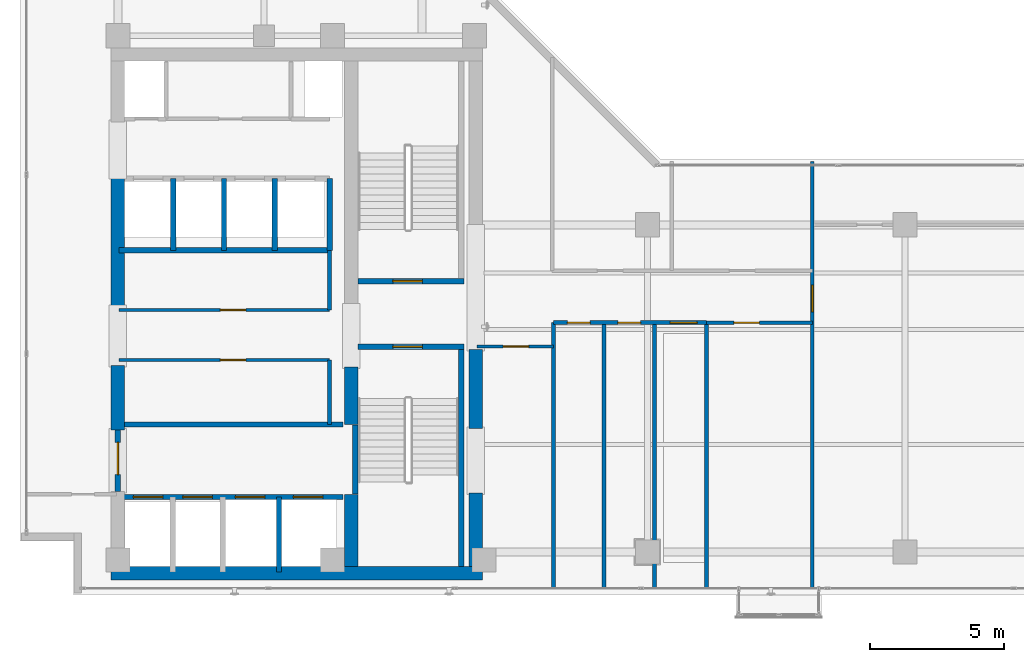
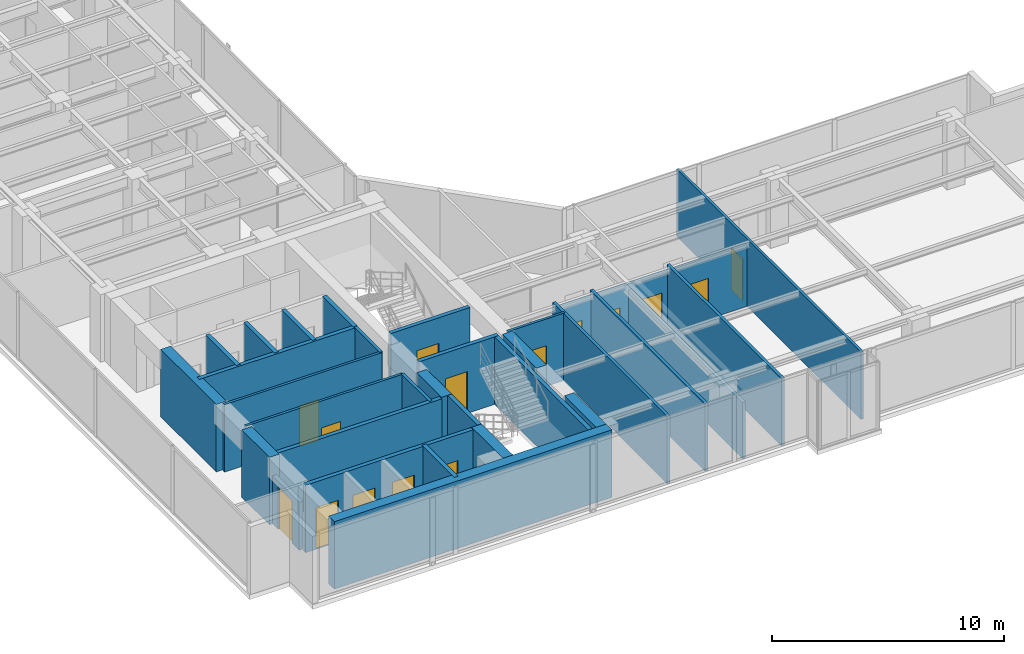
# One storey, part 17 of 22: 32 walls, 15 doors, 15 openings.
"""IFC4 building model written with IfcOpenShell, lengths in metres."""

from ifc_helpers import new_model, si_unit, direction, frame, frame_2d, origin, place, context, subcontext, project, spatial, rectangle, extrude, material, layer, layer_set, type_object, element, fill, save


model = new_model("IFC4")

# Units and contexts
model_context = context("Model", 3, precision=1e-05, world=origin(), true_north=direction((0.0, 1.0)))
body_context = subcontext(model_context, "Body", "Model", "MODEL_VIEW")
ifc_project = project(units=[si_unit("LENGTHUNIT", "METRE"), si_unit("AREAUNIT", "SQUARE_METRE"), si_unit("VOLUMEUNIT", "CUBIC_METRE"), si_unit("PLANEANGLEUNIT", "RADIAN"), si_unit("MASSUNIT", "GRAM", prefix="KILO")], contexts=[model_context])

# Site, building, storey
site_placement = place(None, origin())
site = spatial("IfcSite", under=ifc_project, at=site_placement, CompositionType="ELEMENT")
building_placement = place(site_placement, origin())
building = spatial("IfcBuilding", under=site, at=building_placement, Name="Kolvaren Waterfront Exchange", CompositionType="ELEMENT")
storey_placement = place(building_placement, frame((0.0, 0.0, 312.199951171875)))
storey = spatial("IfcBuildingStorey", under=building, at=storey_placement, Name="L80", CompositionType="ELEMENT", Elevation=312.199951171875)

# Wall, opening, door
ifc_material_1 = material(Name="Precast concrete C40/50", Category="concrete")
ifc_layer_1 = layer(ifc_material_1, 0.199951171875, Name="Precast concrete C40/50")
ifc_layer_set_1 = layer_set([ifc_layer_1], Name="Precast concrete C40/50")
wall_type_1 = type_object("IfcWallType", Name="ARC-FIRE-200", PredefinedType="PARTITIONING", material=ifc_layer_set_1)
wall_1_placement = place(storey_placement, frame((16.39990234375, 12.85009765625, 0.0), z_axis=(0.0, 0.0, 1.0), x_axis=(1.0, 0.0, 0.0)))
wall_1 = element("IfcWall", 1, at=wall_1_placement, inside=storey, type_object=wall_type_1, Name="L80 interior wall PW-L80-ST1-THROAT-S", PredefinedType="PARTITIONING", context=body_context, shape_type="SweptSolid", body=[
    extrude(rectangle(XDim=3.960205078125, YDim=0.199951171875, at=frame_2d((1.97998046875, 0.0))), origin(), (0.0, 0.0, 1.0), 3.56005859375),
])
opening_1_placement = place(wall_1_placement, frame((1.3037109375, 0.0, 0.0)))
opening_1 = element("IfcOpeningElement", 2, at=opening_1_placement, cuts=wall_1, Name="Opening FD2", PredefinedType="OPENING", context=body_context, shape_type="SweptSolid", body=[
    extrude(rectangle(XDim=1.10009765625, YDim=2.199951171875, at=frame_2d((0.550048828125, 1.10009765625))), frame((0.0, 0.10986328125, 0.0), z_axis=(0.0, -1.0, 0.0), x_axis=(1.0, 0.0, 0.0)), (0.0, 0.0, 1.0), 0.219970703125),
])
ifc_material_2 = material(Name="Pressed steel smoke-seal fire door", Category="steel")
door_type_1 = type_object("IfcDoorType", Name="ARC-FD-1100", OperationType="NOTDEFINED", PredefinedType="DOOR", material=ifc_material_2)
door_1_placement = place(opening_1_placement, frame((1.10009765625, 0.0, 0.0), z_axis=(0.0, 0.0, 1.0), x_axis=(-1.0, 0.0, 0.0)))
door_1 = element("IfcDoor", 3, at=door_1_placement, inside=storey, type_object=door_type_1, Name="L80 door DR-L80-ST1-IN (FD2)", OperationType="SINGLE_SWING_LEFT", OverallHeight=2.199951171875, OverallWidth=1.10009765625, PredefinedType="DOOR", context=body_context, shape_type="SweptSolid", body=[
    extrude(rectangle(XDim=1.10009765625, YDim=2.199951171875, at=frame_2d((0.550048828125, 1.10009765625))), frame((0.0, 0.02490234375, 0.0), z_axis=(0.0, -1.0, 0.0), x_axis=(1.0, 0.0, 0.0)), (0.0, 0.0, 1.0), 0.050048828125),
])
fill(opening_1, door_1)

wall_2_placement = place(storey_placement, frame((16.409912109375, 15.300048828125, 0.0), z_axis=(0.0, 0.0, 1.0), x_axis=(1.0, 0.0, 0.0)))
wall_2 = element("IfcWall", 4, at=wall_2_placement, inside=storey, type_object=wall_type_1, Name="L80 interior wall PW-L80-ST2-THROAT-N", PredefinedType="PARTITIONING", context=body_context, shape_type="SweptSolid", body=[
    extrude(rectangle(XDim=3.9501953125, YDim=0.199951171875, at=frame_2d((1.97509765625, 0.0))), origin(), (0.0, 0.0, 1.0), 3.56005859375),
])
opening_2_placement = place(wall_2_placement, frame((1.293701171875, 0.0, 0.0)))
opening_2 = element("IfcOpeningElement", 5, at=opening_2_placement, cuts=wall_2, Name="Opening FD2", PredefinedType="OPENING", context=body_context, shape_type="SweptSolid", body=[
    extrude(rectangle(XDim=1.10009765625, YDim=2.199951171875, at=frame_2d((0.550048828125, 1.10009765625))), frame((0.0, 0.10986328125, 0.0), z_axis=(0.0, -1.0, 0.0), x_axis=(1.0, 0.0, 0.0)), (0.0, 0.0, 1.0), 0.219970703125),
])
door_2_placement = place(opening_2_placement, origin())
door_2 = element("IfcDoor", 6, at=door_2_placement, inside=storey, type_object=door_type_1, Name="L80 door DR-L80-ST2-IN (FD2)", OperationType="SINGLE_SWING_RIGHT", OverallHeight=2.199951171875, OverallWidth=1.10009765625, PredefinedType="DOOR", context=body_context, shape_type="SweptSolid", body=[
    extrude(rectangle(XDim=1.10009765625, YDim=2.199951171875, at=frame_2d((0.550048828125, 1.10009765625))), frame((0.0, 0.02490234375, 0.0), z_axis=(0.0, -1.0, 0.0), x_axis=(1.0, 0.0, 0.0)), (0.0, 0.0, 1.0), 0.050048828125),
])
fill(opening_2, door_2)

# Wall
wall_3_placement = place(storey_placement, frame((7.5, 9.949951171875, 0.0), z_axis=(0.0, 0.0, 1.0), x_axis=(1.0, 0.0, 0.0)))
element("IfcWall", 7, at=wall_3_placement, inside=storey, type_object=wall_type_1, Name="L80 interior wall PW-L80-FF-N", PredefinedType="PARTITIONING", context=body_context, shape_type="SweptSolid", body=[
    extrude(rectangle(XDim=8.35009765625, YDim=0.199951171875, at=frame_2d((4.175048828125, 0.0))), origin(), (0.0, 0.0, 1.0), 3.56005859375),
])

# Wall, opening, door
wall_4_placement = place(storey_placement, frame((7.449951171875, 7.449951171875, 0.0), z_axis=(0.0, 0.0, 1.0), x_axis=(0.0, 1.0, 0.0)))
wall_4 = element("IfcWall", 8, at=wall_4_placement, inside=storey, type_object=wall_type_1, Name="L80 interior wall PW-L80-FF-W-DOOR", PredefinedType="PARTITIONING", context=body_context, shape_type="SweptSolid", body=[
    extrude(rectangle(XDim=2.300048828125, YDim=0.199951171875, at=frame_2d((1.14990234375, 0.0))), origin(), (0.0, 0.0, 1.0), 2.5400390625),
])
opening_3_placement = place(wall_4_placement, frame((0.63330078125, 0.0, 0.0)))
opening_3 = element("IfcOpeningElement", 9, at=opening_3_placement, cuts=wall_4, Name="Opening FD3", PredefinedType="OPENING", context=body_context, shape_type="SweptSolid", body=[
    extrude(rectangle(XDim=1.199951171875, YDim=2.25, at=frame_2d((0.60009765625, 1.125))), frame((0.0, 0.10986328125, 0.0), z_axis=(0.0, -1.0, 0.0), x_axis=(1.0, 0.0, 0.0)), (0.0, 0.0, 1.0), 0.219970703125),
])
ifc_material_3 = material(Name="Pressed steel fire door", Category="steel")
door_type_2 = type_object("IfcDoorType", Name="ARC-FD-1200", OperationType="NOTDEFINED", PredefinedType="DOOR", material=ifc_material_3)
door_3_placement = place(opening_3_placement, frame((1.199951171875, 0.0, 0.0), z_axis=(0.0, 0.0, 1.0), x_axis=(-1.0, 0.0, 0.0)))
door_3 = element("IfcDoor", 10, at=door_3_placement, inside=storey, type_object=door_type_2, Name="L80 door DR-L80-FF-OUT (FD3)", OperationType="SINGLE_SWING_LEFT", OverallHeight=2.25, OverallWidth=1.199951171875, PredefinedType="DOOR", context=body_context, shape_type="SweptSolid", body=[
    extrude(rectangle(XDim=1.199951171875, YDim=2.25, at=frame_2d((0.60009765625, 1.125))), frame((0.0, 0.02490234375, 0.0), z_axis=(0.0, -1.0, 0.0), x_axis=(1.0, 0.0, 0.0)), (0.0, 0.0, 1.0), 0.050048828125),
])
fill(opening_3, door_3)

ifc_material_4 = material(Name="Acoustic gypsum steel stud", Category="steel")
ifc_layer_2 = layer(ifc_material_4, 0.125, Name="Acoustic gypsum steel stud")
ifc_layer_set_2 = layer_set([ifc_layer_2], Name="Acoustic gypsum steel stud")
wall_type_2 = type_object("IfcWallType", Name="ARC-PART-125", PredefinedType="PARTITIONING", material=ifc_layer_set_2)
wall_5_placement = place(storey_placement, frame((7.5, 12.360107421875, 0.0), z_axis=(0.0, 0.0, 1.0), x_axis=(1.0, 0.0, 0.0)))
wall_5 = element("IfcWall", 11, at=wall_5_placement, inside=storey, type_object=wall_type_2, Name="L80 interior wall PW-L80-REC-HI-S", PredefinedType="PARTITIONING", context=body_context, shape_type="SweptSolid", body=[
    extrude(rectangle(XDim=7.85009765625, YDim=0.125, at=frame_2d((3.925048828125, 0.0))), origin(), (0.0, 0.0, 1.0), 3.56005859375),
])
opening_4_placement = place(wall_5_placement, frame((3.77490234375, 0.0, 0.0)))
opening_4 = element("IfcOpeningElement", 12, at=opening_4_placement, cuts=wall_5, Name="Opening D02", PredefinedType="OPENING", context=body_context, shape_type="SweptSolid", body=[
    extrude(rectangle(XDim=0.949951171875, YDim=2.14990234375, at=frame_2d((0.47509765625, 1.074951171875))), frame((0.0, 0.072509765625, 0.0), z_axis=(0.0, -1.0, 0.0), x_axis=(1.0, 0.0, 0.0)), (0.0, 0.0, 1.0), 0.14501953125),
])
ifc_material_5 = material(Name="Oak veneer acoustic timber", Category="wood")
door_type_3 = type_object("IfcDoorType", Name="ARC-DR-950", OperationType="NOTDEFINED", PredefinedType="DOOR", material=ifc_material_5)
door_4_placement = place(opening_4_placement, origin())
door_4 = element("IfcDoor", 13, at=door_4_placement, inside=storey, type_object=door_type_3, Name="L80 door DR-L80-REC-HI-D1 (D02)", OperationType="SINGLE_SWING_RIGHT", OverallHeight=2.14990234375, OverallWidth=0.949951171875, PredefinedType="DOOR", context=body_context, shape_type="SweptSolid", body=[
    extrude(rectangle(XDim=0.949951171875, YDim=2.14990234375, at=frame_2d((0.47509765625, 1.074951171875))), frame((0.0, 0.02490234375, 0.0), z_axis=(0.0, -1.0, 0.0), x_axis=(1.0, 0.0, 0.0)), (0.0, 0.0, 1.0), 0.050048828125),
])
fill(opening_4, door_4)

wall_6_placement = place(storey_placement, frame((7.5, 14.219970703125, 0.0), z_axis=(0.0, 0.0, 1.0), x_axis=(1.0, 0.0, 0.0)))
wall_6 = element("IfcWall", 14, at=wall_6_placement, inside=storey, type_object=wall_type_2, Name="L80 interior wall PW-L80-REC-HI-N", PredefinedType="PARTITIONING", context=body_context, shape_type="SweptSolid", body=[
    extrude(rectangle(XDim=7.85009765625, YDim=0.125, at=frame_2d((3.925048828125, 0.0))), origin(), (0.0, 0.0, 1.0), 3.56005859375),
])
opening_5_placement = place(wall_6_placement, frame((3.77490234375, 0.0, 0.0)))
opening_5 = element("IfcOpeningElement", 15, at=opening_5_placement, cuts=wall_6, Name="Opening D02", PredefinedType="OPENING", context=body_context, shape_type="SweptSolid", body=[
    extrude(rectangle(XDim=0.949951171875, YDim=2.14990234375, at=frame_2d((0.47509765625, 1.074951171875))), frame((0.0, 0.072509765625, 0.0), z_axis=(0.0, -1.0, 0.0), x_axis=(1.0, 0.0, 0.0)), (0.0, 0.0, 1.0), 0.14501953125),
])
door_5_placement = place(opening_5_placement, origin())
door_5 = element("IfcDoor", 16, at=door_5_placement, inside=storey, type_object=door_type_3, Name="L80 door DR-L80-REC-HI-D2 (D02)", OperationType="SINGLE_SWING_LEFT", OverallHeight=2.14990234375, OverallWidth=0.949951171875, PredefinedType="DOOR", context=body_context, shape_type="SweptSolid", body=[
    extrude(rectangle(XDim=0.949951171875, YDim=2.14990234375, at=frame_2d((0.47509765625, 1.074951171875))), frame((0.0, 0.02490234375, 0.0), z_axis=(0.0, -1.0, 0.0), x_axis=(1.0, 0.0, 0.0)), (0.0, 0.0, 1.0), 0.050048828125),
])
fill(opening_5, door_5)

wall_7_placement = place(storey_placement, frame((20.85009765625, 12.860107421875, 0.0), z_axis=(0.0, 0.0, 1.0), x_axis=(1.0, 0.0, 0.0)))
wall_7 = element("IfcWall", 17, at=wall_7_placement, inside=storey, type_object=wall_type_2, Name="L80 interior wall PW-L80-SWST3-N", PredefinedType="PARTITIONING", context=body_context, shape_type="SweptSolid", body=[
    extrude(rectangle(XDim=2.849853515625, YDim=0.125, at=frame_2d((1.4248046875, 0.0))), origin(), (0.0, 0.0, 1.0), 3.56005859375),
])
opening_6_placement = place(wall_7_placement, frame((0.971435546875, 0.0, 0.0)))
opening_6 = element("IfcOpeningElement", 18, at=opening_6_placement, cuts=wall_7, Name="Opening D02", PredefinedType="OPENING", context=body_context, shape_type="SweptSolid", body=[
    extrude(rectangle(XDim=0.949951171875, YDim=2.14990234375, at=frame_2d((0.47509765625, 1.074951171875))), frame((0.0, 0.072509765625, 0.0), z_axis=(0.0, -1.0, 0.0), x_axis=(1.0, 0.0, 0.0)), (0.0, 0.0, 1.0), 0.14501953125),
])
door_6_placement = place(opening_6_placement, origin())
door_6 = element("IfcDoor", 19, at=door_6_placement, inside=storey, type_object=door_type_3, Name="L80 door DR-L80-SWST3-D (D02)", OperationType="SINGLE_SWING_RIGHT", OverallHeight=2.14990234375, OverallWidth=0.949951171875, PredefinedType="DOOR", context=body_context, shape_type="SweptSolid", body=[
    extrude(rectangle(XDim=0.949951171875, YDim=2.14990234375, at=frame_2d((0.47509765625, 1.074951171875))), frame((0.0, 0.02490234375, 0.0), z_axis=(0.0, -1.0, 0.0), x_axis=(1.0, 0.0, 0.0)), (0.0, 0.0, 1.0), 0.050048828125),
])
fill(opening_6, door_6)

wall_8_placement = place(storey_placement, frame((29.39990234375, 13.75, 0.0), z_axis=(0.0, 0.0, 1.0), x_axis=(1.0, 0.0, 0.0)))
wall_8 = element("IfcWall", 20, at=wall_8_placement, inside=storey, type_object=wall_type_2, Name="L80 interior wall PW-L80-ES-CORR", PredefinedType="PARTITIONING", context=body_context, shape_type="SweptSolid", body=[
    extrude(rectangle(XDim=3.9501953125, YDim=0.125, at=frame_2d((1.97509765625, 0.0))), origin(), (0.0, 0.0, 1.0), 3.260009765625),
])
opening_7_placement = place(wall_8_placement, frame((1.02490234375, 0.0, 0.0)))
opening_7 = element("IfcOpeningElement", 21, at=opening_7_placement, cuts=wall_8, Name="Opening D02", PredefinedType="OPENING", context=body_context, shape_type="SweptSolid", body=[
    extrude(rectangle(XDim=0.949951171875, YDim=2.14990234375, at=frame_2d((0.47509765625, 1.074951171875))), frame((0.0, 0.072509765625, 0.0), z_axis=(0.0, -1.0, 0.0), x_axis=(1.0, 0.0, 0.0)), (0.0, 0.0, 1.0), 0.14501953125),
])
door_7_placement = place(opening_7_placement, origin())
door_7 = element("IfcDoor", 22, at=door_7_placement, inside=storey, type_object=door_type_3, Name="L80 door DR-L80-ES-D-1 (D02)", OperationType="SINGLE_SWING_LEFT", OverallHeight=2.14990234375, OverallWidth=0.949951171875, PredefinedType="DOOR", context=body_context, shape_type="SweptSolid", body=[
    extrude(rectangle(XDim=0.949951171875, YDim=2.14990234375, at=frame_2d((0.47509765625, 1.074951171875))), frame((0.0, 0.02490234375, 0.0), z_axis=(0.0, -1.0, 0.0), x_axis=(1.0, 0.0, 0.0)), (0.0, 0.0, 1.0), 0.050048828125),
])
fill(opening_7, door_7)

wall_9_placement = place(storey_placement, frame((33.35009765625, 3.840087890625, 0.0), z_axis=(0.0, 0.0, 1.0), x_axis=(0.0, 1.0, 0.0)))
wall_9 = element("IfcWall", 23, at=wall_9_placement, inside=storey, type_object=wall_type_2, Name="L80 interior wall PW-L80-ETIP-W", PredefinedType="PARTITIONING", context=body_context, shape_type="SweptSolid", body=[
    extrude(rectangle(XDim=15.919921875, YDim=0.125, at=frame_2d((7.9599609375, 0.0))), origin(), (0.0, 0.0, 1.0), 3.56005859375),
])
opening_8_placement = place(wall_9_placement, frame((10.31005859375, 0.0, 0.0)))
opening_8 = element("IfcOpeningElement", 24, at=opening_8_placement, cuts=wall_9, Name="Opening D03", PredefinedType="OPENING", context=body_context, shape_type="SweptSolid", body=[
    extrude(rectangle(XDim=1.0, YDim=2.199951171875, at=frame_2d((0.5, 1.10009765625))), frame((0.0, 0.072509765625, 0.0), z_axis=(0.0, -1.0, 0.0), x_axis=(1.0, 0.0, 0.0)), (0.0, 0.0, 1.0), 0.14501953125),
])
ifc_material_6 = material(Name="Oak veneer accessible timber", Category="wood")
door_type_4 = type_object("IfcDoorType", Name="ARC-DR-1000", OperationType="NOTDEFINED", PredefinedType="DOOR", material=ifc_material_6)
door_8_placement = place(opening_8_placement, origin())
door_8 = element("IfcDoor", 25, at=door_8_placement, inside=storey, type_object=door_type_4, Name="L80 door DR-L80-ETIP1-D (D03)", OperationType="SINGLE_SWING_RIGHT", OverallHeight=2.199951171875, OverallWidth=1.0, PredefinedType="DOOR", context=body_context, shape_type="SweptSolid", body=[
    extrude(rectangle(XDim=1.0, YDim=2.199951171875, at=frame_2d((0.5, 1.10009765625))), frame((0.0, 0.02490234375, 0.0), z_axis=(0.0, -1.0, 0.0), x_axis=(1.0, 0.0, 0.0)), (0.0, 0.0, 1.0), 0.050048828125),
])
fill(opening_8, door_8)

# Walls
ifc_material_7 = material(Name="Gypsum fireboard steel stud", Category="steel")
ifc_layer_3 = layer(ifc_material_7, 0.14990234375, Name="Gypsum fireboard steel stud")
ifc_layer_set_3 = layer_set([ifc_layer_3], Name="Gypsum fireboard steel stud")
wall_type_3 = type_object("IfcWallType", Name="ARC-PART-150", PredefinedType="PARTITIONING", material=ifc_layer_set_3)
wall_10_placement = place(storey_placement, frame((15.35009765625, 9.949951171875, 0.0), z_axis=(0.0, 0.0, 1.0), x_axis=(0.0, 1.0, 0.0)))
element("IfcWall", 26, at=wall_10_placement, inside=storey, type_object=wall_type_3, Name="L80 interior wall PW-L80-REC-HI-E1", PredefinedType="PARTITIONING", context=body_context, shape_type="SweptSolid", body=[
    extrude(rectangle(XDim=2.41015625, YDim=0.14990234375, at=frame_2d((1.205078125, 0.0))), origin(), (0.0, 0.0, 1.0), 3.56005859375),
])
wall_11_placement = place(storey_placement, frame((15.35009765625, 14.219970703125, 0.0), z_axis=(0.0, 0.0, 1.0), x_axis=(0.0, 1.0, 0.0)))
element("IfcWall", 27, at=wall_11_placement, inside=storey, type_object=wall_type_3, Name="L80 interior wall PW-L80-REC-HI-E2", PredefinedType="PARTITIONING", context=body_context, shape_type="SweptSolid", body=[
    extrude(rectangle(XDim=2.22998046875, YDim=0.14990234375, at=frame_2d((1.114990234375, 0.0))), origin(), (0.0, 0.0, 1.0), 3.56005859375),
])
ifc_material_8 = material(Name="Moisture-resistant gypsum stud")
ifc_layer_4 = layer(ifc_material_8, 0.14990234375, Name="Moisture-resistant gypsum stud")
ifc_layer_set_4 = layer_set([ifc_layer_4], Name="Moisture-resistant gypsum stud")
wall_type_4 = type_object("IfcWallType", Name="ARC-PLUMB-150", PredefinedType="PLUMBINGWALL", material=ifc_layer_set_4)
wall_12_placement = place(storey_placement, frame((23.699951171875, 3.840087890625, 0.0), z_axis=(0.0, 0.0, 1.0), x_axis=(0.0, 1.0, 0.0)))
element("IfcWall", 28, at=wall_12_placement, inside=storey, type_object=wall_type_4, Name="L80 interior wall PW-L80-WC-0", PredefinedType="PLUMBINGWALL", context=body_context, shape_type="SweptSolid", body=[
    extrude(rectangle(XDim=9.909912109375, YDim=0.14990234375, at=frame_2d((4.955078125, 0.0))), origin(), (0.0, 0.0, 1.0), 3.56005859375),
])

# Wall, openings, doors
wall_13_placement = place(storey_placement, frame((23.699951171875, 13.75, 0.0), z_axis=(0.0, 0.0, 1.0), x_axis=(1.0, 0.0, 0.0)))
wall_13 = element("IfcWall", 29, at=wall_13_placement, inside=storey, type_object=wall_type_4, Name="L80 interior wall PW-L80-WC-N", PredefinedType="PLUMBINGWALL", context=body_context, shape_type="SweptSolid", body=[
    extrude(rectangle(XDim=5.699951171875, YDim=0.14990234375, at=frame_2d((2.85009765625, 0.0))), origin(), (0.0, 0.0, 1.0), 3.260009765625),
])
opening_9_placement = place(wall_13_placement, frame((0.514892578125, 0.0, 0.0)))
opening_9 = element("IfcOpeningElement", 30, at=opening_9_placement, cuts=wall_13, Name="Opening D01", PredefinedType="OPENING", context=body_context, shape_type="SweptSolid", body=[
    extrude(rectangle(XDim=0.85009765625, YDim=2.14990234375, at=frame_2d((0.425048828125, 1.074951171875))), frame((0.0, 0.0849609375, 0.0), z_axis=(0.0, -1.0, 0.0), x_axis=(1.0, 0.0, 0.0)), (0.0, 0.0, 1.0), 0.169921875),
])
opening_10_placement = place(wall_13_placement, frame((2.39501953125, 0.0, 0.0)))
opening_10 = element("IfcOpeningElement", 31, at=opening_10_placement, cuts=wall_13, Name="Opening D01", PredefinedType="OPENING", context=body_context, shape_type="SweptSolid", body=[
    extrude(rectangle(XDim=0.85009765625, YDim=2.14990234375, at=frame_2d((0.425048828125, 1.074951171875))), frame((0.0, 0.0849609375, 0.0), z_axis=(0.0, -1.0, 0.0), x_axis=(1.0, 0.0, 0.0)), (0.0, 0.0, 1.0), 0.169921875),
])
opening_11_placement = place(wall_13_placement, frame((4.35009765625, 0.0, 0.0)))
opening_11 = element("IfcOpeningElement", 32, at=opening_11_placement, cuts=wall_13, Name="Opening D03", PredefinedType="OPENING", context=body_context, shape_type="SweptSolid", body=[
    extrude(rectangle(XDim=1.0, YDim=2.199951171875, at=frame_2d((0.5, 1.10009765625))), frame((0.0, 0.0849609375, 0.0), z_axis=(0.0, -1.0, 0.0), x_axis=(1.0, 0.0, 0.0)), (0.0, 0.0, 1.0), 0.169921875),
])
door_9_placement = place(opening_11_placement, origin())
door_9 = element("IfcDoor", 33, at=door_9_placement, inside=storey, type_object=door_type_4, Name="L80 door DR-L80-WCA-D (D03)", OperationType="SINGLE_SWING_RIGHT", OverallHeight=2.199951171875, OverallWidth=1.0, PredefinedType="DOOR", context=body_context, shape_type="SweptSolid", body=[
    extrude(rectangle(XDim=1.0, YDim=2.199951171875, at=frame_2d((0.5, 1.10009765625))), frame((0.0, 0.02490234375, 0.0), z_axis=(0.0, -1.0, 0.0), x_axis=(1.0, 0.0, 0.0)), (0.0, 0.0, 1.0), 0.050048828125),
])
fill(opening_11, door_9)
ifc_material_9 = material(Name="Oak veneer timber leaf", Category="wood")
door_type_5 = type_object("IfcDoorType", Name="ARC-DR-900", OperationType="NOTDEFINED", PredefinedType="DOOR", material=ifc_material_9)
door_10_placement = place(opening_9_placement, origin())
door_10 = element("IfcDoor", 34, at=door_10_placement, inside=storey, type_object=door_type_5, Name="L80 door DR-L80-WCM-D (D01)", OperationType="SINGLE_SWING_RIGHT", OverallHeight=2.14990234375, OverallWidth=0.85009765625, PredefinedType="DOOR", context=body_context, shape_type="SweptSolid", body=[
    extrude(rectangle(XDim=0.85009765625, YDim=2.14990234375, at=frame_2d((0.425048828125, 1.074951171875))), frame((0.0, 0.02490234375, 0.0), z_axis=(0.0, -1.0, 0.0), x_axis=(1.0, 0.0, 0.0)), (0.0, 0.0, 1.0), 0.050048828125),
])
fill(opening_9, door_10)
door_11_placement = place(opening_10_placement, origin())
door_11 = element("IfcDoor", 35, at=door_11_placement, inside=storey, type_object=door_type_5, Name="L80 door DR-L80-WCF-D (D01)", OperationType="SINGLE_SWING_LEFT", OverallHeight=2.14990234375, OverallWidth=0.85009765625, PredefinedType="DOOR", context=body_context, shape_type="SweptSolid", body=[
    extrude(rectangle(XDim=0.85009765625, YDim=2.14990234375, at=frame_2d((0.425048828125, 1.074951171875))), frame((0.0, 0.02490234375, 0.0), z_axis=(0.0, -1.0, 0.0), x_axis=(1.0, 0.0, 0.0)), (0.0, 0.0, 1.0), 0.050048828125),
])
fill(opening_10, door_11)

# Walls
wall_14_placement = place(storey_placement, frame((25.580078125, 3.840087890625, 0.0), z_axis=(0.0, 0.0, 1.0), x_axis=(0.0, 1.0, 0.0)))
element("IfcWall", 36, at=wall_14_placement, inside=storey, type_object=wall_type_4, Name="L80 interior wall PW-L80-WC-1", PredefinedType="PLUMBINGWALL", context=body_context, shape_type="SweptSolid", body=[
    extrude(rectangle(XDim=9.909912109375, YDim=0.14990234375, at=frame_2d((4.955078125, 0.0))), origin(), (0.0, 0.0, 1.0), 3.56005859375),
])
wall_15_placement = place(storey_placement, frame((27.4599609375, 3.840087890625, 0.0), z_axis=(0.0, 0.0, 1.0), x_axis=(0.0, 1.0, 0.0)))
element("IfcWall", 37, at=wall_15_placement, inside=storey, type_object=wall_type_4, Name="L80 interior wall PW-L80-WC-2", PredefinedType="PLUMBINGWALL", context=body_context, shape_type="SweptSolid", body=[
    extrude(rectangle(XDim=9.909912109375, YDim=0.14990234375, at=frame_2d((4.955078125, 0.0))), origin(), (0.0, 0.0, 1.0), 2.9599609375),
])
wall_16_placement = place(storey_placement, frame((29.39990234375, 3.840087890625, 0.0), z_axis=(0.0, 0.0, 1.0), x_axis=(0.0, 1.0, 0.0)))
element("IfcWall", 38, at=wall_16_placement, inside=storey, type_object=wall_type_4, Name="L80 interior wall PW-L80-WC-3", PredefinedType="PLUMBINGWALL", context=body_context, shape_type="SweptSolid", body=[
    extrude(rectangle(XDim=9.909912109375, YDim=0.14990234375, at=frame_2d((4.955078125, 0.0))), origin(), (0.0, 0.0, 1.0), 3.56005859375),
])
ifc_material_10 = material(Name="Concrete C40/50", Category="concrete")
ifc_layer_5 = layer(ifc_material_10, 0.199951171875, Name="Concrete C40/50")
ifc_layer_set_5 = layer_set([ifc_layer_5], Name="Concrete C40/50")
wall_type_5 = type_object("IfcWallType", Name="ARC-SHAFT-200", PredefinedType="PARTITIONING", material=ifc_layer_set_5)
wall_17_placement = place(storey_placement, frame((16.300048828125, 7.360107421875, 0.0), z_axis=(0.0, 0.0, 1.0), x_axis=(0.0, 1.0, 0.0)))
element("IfcWall", 39, at=wall_17_placement, inside=storey, type_object=wall_type_5, Name="L80 structural stairwell wall PW-L80-ST1-W", PredefinedType="SHEAR", context=body_context, shape_type="SweptSolid", body=[
    extrude(rectangle(XDim=2.579833984375, YDim=0.199951171875, at=frame_2d((1.2900390625, 0.0))), origin(), (0.0, 0.0, 1.0), 3.56005859375),
])
wall_18_placement = place(storey_placement, frame((20.260009765625, 4.659912109375, 0.0), z_axis=(0.0, 0.0, 1.0), x_axis=(0.0, 1.0, 0.0)))
element("IfcWall", 40, at=wall_18_placement, inside=storey, type_object=wall_type_5, Name="L80 structural stairwell wall PW-L80-ST1-E", PredefinedType="SHEAR", context=body_context, shape_type="SweptSolid", body=[
    extrude(rectangle(XDim=8.090087890625, YDim=0.199951171875, at=frame_2d((4.044921875, 0.0))), origin(), (0.0, 0.0, 1.0), 3.56005859375),
])

# Wall, openings, doors
wall_19_placement = place(storey_placement, frame((7.5, 7.25, 0.0), z_axis=(0.0, 0.0, 1.0), x_axis=(1.0, 0.0, 0.0)))
wall_19 = element("IfcWall", 41, at=wall_19_placement, inside=storey, type_object=wall_type_5, Name="L80 interior wall PW-L80-FF-S", PredefinedType="PARTITIONING", context=body_context, shape_type="SweptSolid", body=[
    extrude(rectangle(XDim=8.35009765625, YDim=0.199951171875, at=frame_2d((4.175048828125, 0.0))), origin(), (0.0, 0.0, 1.0), 3.56005859375),
])
opening_12_placement = place(wall_19_placement, frame((0.530029296875, 0.0, 0.0)))
opening_12 = element("IfcOpeningElement", 42, at=opening_12_placement, cuts=wall_19, Name="Opening LD1", PredefinedType="OPENING", context=body_context, shape_type="SweptSolid", body=[
    extrude(rectangle(XDim=1.10009765625, YDim=2.199951171875, at=frame_2d((0.550048828125, 1.10009765625))), frame((0.0, 0.10986328125, 0.0), z_axis=(0.0, -1.0, 0.0), x_axis=(1.0, 0.0, 0.0)), (0.0, 0.0, 1.0), 0.219970703125),
])
opening_13_placement = place(wall_19_placement, frame((2.3701171875, 0.0, 0.0)))
opening_13 = element("IfcOpeningElement", 43, at=opening_13_placement, cuts=wall_19, Name="Opening LD1", PredefinedType="OPENING", context=body_context, shape_type="SweptSolid", body=[
    extrude(rectangle(XDim=1.10009765625, YDim=2.199951171875, at=frame_2d((0.550048828125, 1.10009765625))), frame((0.0, 0.10986328125, 0.0), z_axis=(0.0, -1.0, 0.0), x_axis=(1.0, 0.0, 0.0)), (0.0, 0.0, 1.0), 0.219970703125),
])
opening_14_placement = place(wall_19_placement, frame((4.330078125, 0.0, 0.0)))
opening_14 = element("IfcOpeningElement", 44, at=opening_14_placement, cuts=wall_19, Name="Opening LD1", PredefinedType="OPENING", context=body_context, shape_type="SweptSolid", body=[
    extrude(rectangle(XDim=1.10009765625, YDim=2.199951171875, at=frame_2d((0.550048828125, 1.10009765625))), frame((0.0, 0.10986328125, 0.0), z_axis=(0.0, -1.0, 0.0), x_axis=(1.0, 0.0, 0.0)), (0.0, 0.0, 1.0), 0.219970703125),
])
opening_15_placement = place(wall_19_placement, frame((6.5, 0.0, 0.0)))
opening_15 = element("IfcOpeningElement", 45, at=opening_15_placement, cuts=wall_19, Name="Opening LD1", PredefinedType="OPENING", context=body_context, shape_type="SweptSolid", body=[
    extrude(rectangle(XDim=1.10009765625, YDim=2.199951171875, at=frame_2d((0.550048828125, 1.10009765625))), frame((0.0, 0.10986328125, 0.0), z_axis=(0.0, -1.0, 0.0), x_axis=(1.0, 0.0, 0.0)), (0.0, 0.0, 1.0), 0.219970703125),
])
ifc_material_11 = material(Name="Stainless steel sliding landing door", Category="steel")
door_type_6 = type_object("IfcDoorType", Name="ARC-LD-FF", OperationType="SLIDING_TO_LEFT", PredefinedType="DOOR", material=ifc_material_11)
door_12_placement = place(opening_12_placement, origin())
door_12 = element("IfcDoor", 46, at=door_12_placement, inside=storey, type_object=door_type_6, Name="L80 door LD-L80-FFL1 (LD1)", OperationType="SLIDING_TO_LEFT", OverallHeight=2.199951171875, OverallWidth=1.10009765625, PredefinedType="DOOR", context=body_context, shape_type="SweptSolid", body=[
    extrude(rectangle(XDim=1.10009765625, YDim=2.199951171875, at=frame_2d((0.550048828125, 1.10009765625))), frame((0.0, 0.02490234375, 0.0), z_axis=(0.0, -1.0, 0.0), x_axis=(1.0, 0.0, 0.0)), (0.0, 0.0, 1.0), 0.050048828125),
])
fill(opening_12, door_12)
door_13_placement = place(opening_13_placement, origin())
door_13 = element("IfcDoor", 47, at=door_13_placement, inside=storey, type_object=door_type_6, Name="L80 door LD-L80-FFL2 (LD1)", OperationType="SLIDING_TO_LEFT", OverallHeight=2.199951171875, OverallWidth=1.10009765625, PredefinedType="DOOR", context=body_context, shape_type="SweptSolid", body=[
    extrude(rectangle(XDim=1.10009765625, YDim=2.199951171875, at=frame_2d((0.550048828125, 1.10009765625))), frame((0.0, 0.02490234375, 0.0), z_axis=(0.0, -1.0, 0.0), x_axis=(1.0, 0.0, 0.0)), (0.0, 0.0, 1.0), 0.050048828125),
])
fill(opening_13, door_13)
door_14_placement = place(opening_14_placement, origin())
door_14 = element("IfcDoor", 48, at=door_14_placement, inside=storey, type_object=door_type_6, Name="L80 door LD-L80-GL1 (LD1)", OperationType="SLIDING_TO_LEFT", OverallHeight=2.199951171875, OverallWidth=1.10009765625, PredefinedType="DOOR", context=body_context, shape_type="SweptSolid", body=[
    extrude(rectangle(XDim=1.10009765625, YDim=2.199951171875, at=frame_2d((0.550048828125, 1.10009765625))), frame((0.0, 0.02490234375, 0.0), z_axis=(0.0, -1.0, 0.0), x_axis=(1.0, 0.0, 0.0)), (0.0, 0.0, 1.0), 0.050048828125),
])
fill(opening_14, door_14)
door_15_placement = place(opening_15_placement, origin())
door_15 = element("IfcDoor", 49, at=door_15_placement, inside=storey, type_object=door_type_6, Name="L80 door LD-L80-GL2 (LD1)", OperationType="SLIDING_TO_LEFT", OverallHeight=2.199951171875, OverallWidth=1.10009765625, PredefinedType="DOOR", context=body_context, shape_type="SweptSolid", body=[
    extrude(rectangle(XDim=1.10009765625, YDim=2.199951171875, at=frame_2d((0.550048828125, 1.10009765625))), frame((0.0, 0.02490234375, 0.0), z_axis=(0.0, -1.0, 0.0), x_axis=(1.0, 0.0, 0.0)), (0.0, 0.0, 1.0), 0.050048828125),
])
fill(opening_15, door_15)

# Walls
wall_20_placement = place(storey_placement, frame((13.4599609375, 4.449951171875, 0.0), z_axis=(0.0, 0.0, 1.0), x_axis=(0.0, 1.0, 0.0)))
element("IfcWall", 50, at=wall_20_placement, inside=storey, type_object=wall_type_5, Name="L80 interior wall PW-L80-SH1-DIV-134", PredefinedType="PARTITIONING", context=body_context, shape_type="SweptSolid", body=[
    extrude(rectangle(XDim=2.800048828125, YDim=0.199951171875, at=frame_2d((1.39990234375, 0.0))), origin(), (0.0, 0.0, 1.0), 3.56005859375),
])
wall_21_placement = place(storey_placement, frame((7.5, 16.449951171875, 0.0), z_axis=(0.0, 0.0, 1.0), x_axis=(1.0, 0.0, 0.0)))
element("IfcWall", 51, at=wall_21_placement, inside=storey, type_object=wall_type_5, Name="L80 interior wall PW-L80-REC-PM-N", PredefinedType="PARTITIONING", context=body_context, shape_type="SweptSolid", body=[
    extrude(rectangle(XDim=7.85009765625, YDim=0.199951171875, at=frame_2d((3.925048828125, 0.0))), origin(), (0.0, 0.0, 1.0), 3.56005859375),
])
for number, where, z_axis, x_axis, name in (
    (52, (15.35009765625, 16.449951171875, 0.0), (0.0, 0.0, 1.0), (0.0, 1.0, 0.0), "L80 interior wall PW-L80-PH-E"),
    (53, (9.52001953125, 16.449951171875, 0.0), (0.0, 0.0, 1.0), (0.0, 1.0, 0.0), "L80 interior wall PW-L80-SH4-DIV-95"),
    (54, (11.409912109375, 16.449951171875, 0.0), (0.0, 0.0, 1.0), (0.0, 1.0, 0.0), "L80 interior wall PW-L80-SH4-DIV-114"),
    (55, (13.300048828125, 16.449951171875, 0.0), (0.0, 0.0, 1.0), (0.0, 1.0, 0.0), "L80 interior wall PW-L80-SH4-DIV-133"),
):
    element("IfcWall", number, at=place(storey_placement, frame(where, z_axis=z_axis, x_axis=x_axis)), inside=storey, type_object=wall_type_5, Name=name, PredefinedType="PARTITIONING", context=body_context, shape_type="SweptSolid", body=[
        extrude(rectangle(XDim=2.670166015625, YDim=0.199951171875, at=frame_2d((1.3349609375, 0.0))), origin(), (0.0, 0.0, 1.0), 3.56005859375),
    ])
ifc_material_12 = material(Name="Concrete C50/60", Category="concrete")
ifc_layer_6 = layer(ifc_material_12, 0.5, Name="Concrete C50/60")
ifc_layer_set_6 = layer_set([ifc_layer_6], Name="Concrete C50/60")
wall_type_6 = type_object("IfcWallType", Name="STR-CWALL-500", PredefinedType="SHEAR", material=ifc_layer_set_6)
wall_22_placement = place(storey_placement, frame((7.199951171875, 4.39990234375, 0.0), z_axis=(0.0, 0.0, 1.0), x_axis=(1.0, 0.0, 0.0)))
element("IfcWall", 56, at=wall_22_placement, inside=storey, type_object=wall_type_6, Name="L80 rear-core shear wall S", PredefinedType="SHEAR", context=body_context, shape_type="SweptSolid", body=[
    extrude(rectangle(XDim=13.85009765625, YDim=0.5, at=frame_2d((6.925048828125, 0.0))), origin(), (0.0, 0.0, 1.0), 3.56005859375),
])
wall_23_placement = place(storey_placement, frame((7.449951171875, 9.75, 0.0), z_axis=(0.0, 0.0, 1.0), x_axis=(0.0, 1.0, 0.0)))
element("IfcWall", 57, at=wall_23_placement, inside=storey, type_object=wall_type_6, Name="L80 rear-core shear wall W2A", PredefinedType="SHEAR", context=body_context, shape_type="SweptSolid", body=[
    extrude(rectangle(XDim=2.39990234375, YDim=0.5, at=frame_2d((1.199951171875, 0.0))), origin(), (0.0, 0.0, 1.0), 3.56005859375),
])
wall_24_placement = place(storey_placement, frame((7.449951171875, 14.35009765625, 0.0), z_axis=(0.0, 0.0, 1.0), x_axis=(0.0, 1.0, 0.0)))
element("IfcWall", 58, at=wall_24_placement, inside=storey, type_object=wall_type_6, Name="L80 rear-core shear wall W2B", PredefinedType="SHEAR", context=body_context, shape_type="SweptSolid", body=[
    extrude(rectangle(XDim=4.809814453125, YDim=0.5, at=frame_2d((2.40478515625, 0.0))), origin(), (0.0, 0.0, 1.0), 3.56005859375),
])
wall_25_placement = place(storey_placement, frame((20.800048828125, 4.64990234375, 0.0), z_axis=(0.0, 0.0, 1.0), x_axis=(0.0, 1.0, 0.0)))
element("IfcWall", 59, at=wall_25_placement, inside=storey, type_object=wall_type_6, Name="L80 rear-core shear wall E1", PredefinedType="SHEAR", context=body_context, shape_type="SweptSolid", body=[
    extrude(rectangle(XDim=2.75, YDim=0.5, at=frame_2d((1.375, 0.0))), origin(), (0.0, 0.0, 1.0), 3.56005859375),
])
wall_26_placement = place(storey_placement, frame((20.800048828125, 9.800048828125, 0.0), z_axis=(0.0, 0.0, 1.0), x_axis=(0.0, 1.0, 0.0)))
element("IfcWall", 60, at=wall_26_placement, inside=storey, type_object=wall_type_6, Name="L80 rear-core shear wall E2", PredefinedType="SHEAR", context=body_context, shape_type="SweptSolid", body=[
    extrude(rectangle(XDim=2.949951171875, YDim=0.5, at=frame_2d((1.47509765625, 0.0))), origin(), (0.0, 0.0, 1.0), 3.56005859375),
])
wall_27_placement = place(storey_placement, frame((16.14990234375, 4.64990234375, 0.0), z_axis=(0.0, 0.0, 1.0), x_axis=(0.0, 1.0, 0.0)))
element("IfcWall", 61, at=wall_27_placement, inside=storey, type_object=wall_type_6, Name="L80 rear-core shear wall M1", PredefinedType="SHEAR", context=body_context, shape_type="SweptSolid", body=[
    extrude(rectangle(XDim=2.7001953125, YDim=0.5, at=frame_2d((1.35009765625, 0.0))), origin(), (0.0, 0.0, 1.0), 3.56005859375),
])
wall_28_placement = place(storey_placement, frame((16.14990234375, 9.949951171875, 0.0), z_axis=(0.0, 0.0, 1.0), x_axis=(0.0, 1.0, 0.0)))
element("IfcWall", 62, at=wall_28_placement, inside=storey, type_object=wall_type_6, Name="L80 rear-core shear wall M2", PredefinedType="SHEAR", context=body_context, shape_type="SweptSolid", body=[
    extrude(rectangle(XDim=2.150146484375, YDim=0.5, at=frame_2d((1.0751953125, 0.0))), origin(), (0.0, 0.0, 1.0), 3.56005859375),
])

save(model, "model.ifc")
